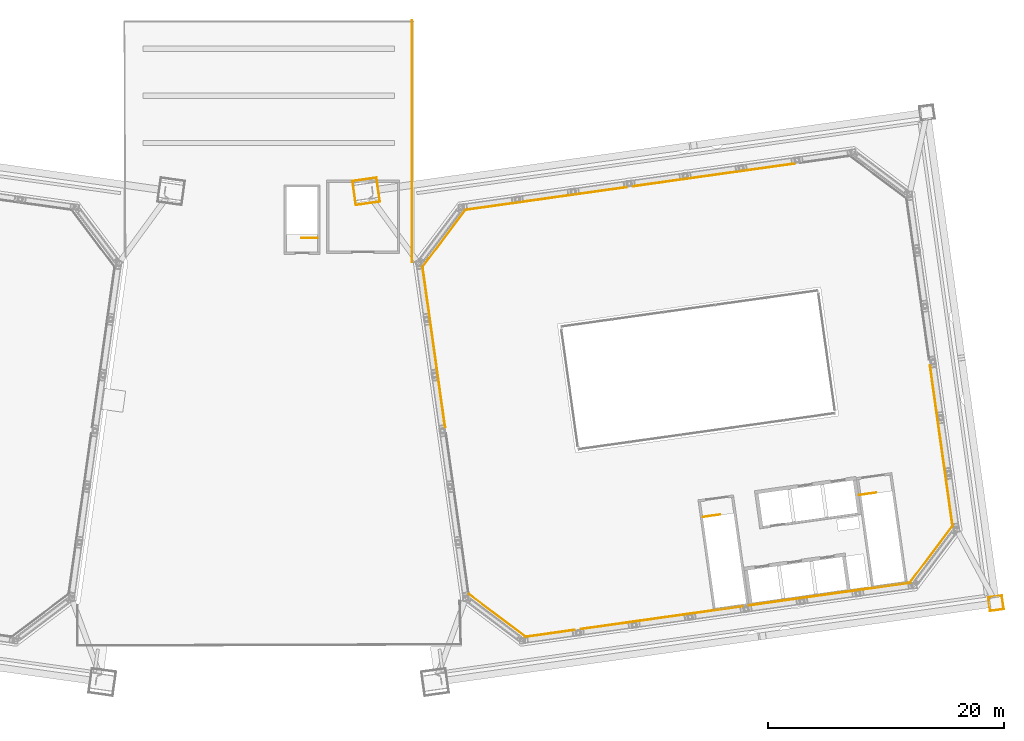
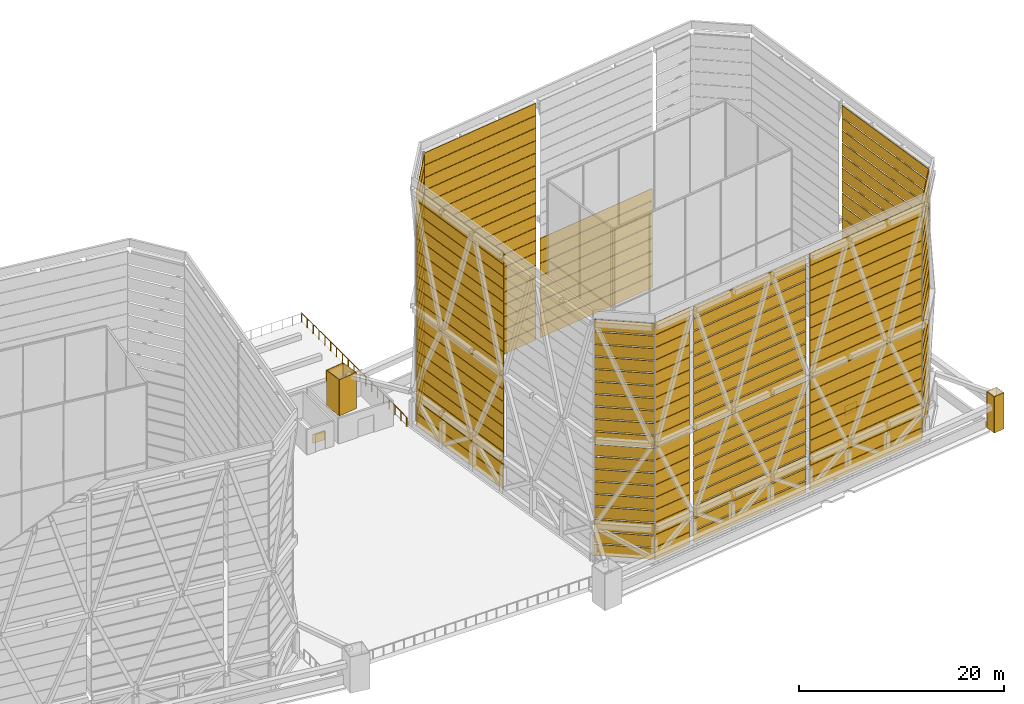
# One storey, part 44 of 45: 187 coverings, 4 railings.
"""IFC4 building model written with IfcOpenShell, lengths in metres."""

from ifc_helpers import new_model, si_unit, direction, frame, origin, origin_2d, place, context, subcontext, project, spatial, polyline, rectangle, outline, extrude, material, layer, layer_set, type_object, element, save


model = new_model("IFC4")

# Units and contexts
model_context = context("Model", 3, precision=1e-05, world=origin(), true_north=direction((0.0, 1.0)))
body_context = subcontext(model_context, "Body", "Model", "MODEL_VIEW")
ifc_project = project(units=[si_unit("LENGTHUNIT", "METRE"), si_unit("AREAUNIT", "SQUARE_METRE"), si_unit("VOLUMEUNIT", "CUBIC_METRE"), si_unit("PLANEANGLEUNIT", "RADIAN"), si_unit("MASSUNIT", "GRAM", prefix="KILO")], contexts=[model_context])

# Site, building, storey
site_placement = place(None, origin())
site = spatial("IfcSite", under=ifc_project, at=site_placement, CompositionType="ELEMENT")
building_placement = place(site_placement, origin())
building = spatial("IfcBuilding", under=site, at=building_placement, Name="Mirante Cascada Hotel Towers", CompositionType="ELEMENT")
storey_placement = place(building_placement, frame((0.0, 0.0, 269.8)))
storey = spatial("IfcBuildingStorey", under=building, at=storey_placement, Name="Roof garden", CompositionType="ELEMENT", Elevation=269.8)

# Coverings
ifc_material_1 = material(Name="Anodised aluminium cladding", Category="aluminium")
ifc_layer_1 = layer(ifc_material_1, 0.05)
ifc_layer_set_1 = layer_set([ifc_layer_1], Name="Column cladding plate 50")
covering_type_1 = type_object("IfcCoveringType", Name="Column cladding plate 50", PredefinedType="CLADDING", material=ifc_layer_set_1)
for number, where, z_axis, x_axis, name in (
    (1, (9.2773, 16.294, 0.0), (0.0, 0.0, 1.0), (0.9902681, 0.1391731, 0.0), "Mega column cladding T2 1.1"),
    (2, (7.2472, 16.0087, 0.0), (0.0, 0.0, 1.0), (0.9902681, 0.1391731, 0.0), "Mega column cladding T2 1.2"),
):
    element("IfcCovering", number, at=place(storey_placement, frame(where, z_axis=z_axis, x_axis=x_axis)), inside=storey, type_object=covering_type_1, Name=name, PredefinedType="CLADDING", context=body_context, shape_type="SweptSolid", body=[
        extrude(rectangle(XDim=0.05, YDim=2.0, at=origin_2d()), origin(), (0.0, 0.0, 1.0), 4.3),
    ])
for number, where, z_axis, x_axis, name in (
    (3, (8.1196, 17.1664, 0.0), (0.0, 0.0, 1.0), (0.9902681, 0.1391731, 0.0), "Mega column cladding T2 1.3"),
    (4, (8.4049, 15.1363, 0.0), (0.0, 0.0, 1.0), (0.9902681, 0.1391731, 0.0), "Mega column cladding T2 1.4"),
):
    element("IfcCovering", number, at=place(storey_placement, frame(where, z_axis=z_axis, x_axis=x_axis)), inside=storey, type_object=covering_type_1, Name=name, PredefinedType="CLADDING", context=body_context, shape_type="SweptSolid", body=[
        extrude(rectangle(XDim=2.1, YDim=0.05, at=origin_2d()), origin(), (0.0, 0.0, 1.0), 4.3),
    ])
for number, where, z_axis, x_axis, name in (
    (5, (62.2098, -18.6796, 0.0), (0.0, 0.0, 1.0), (0.9902681, 0.1391731, 0.0), "Mega column cladding T2 4.1"),
    (6, (61.071, -18.8396, 0.0), (0.0, 0.0, 1.0), (0.9902681, 0.1391731, 0.0), "Mega column cladding T2 4.2"),
):
    element("IfcCovering", number, at=place(storey_placement, frame(where, z_axis=z_axis, x_axis=x_axis)), inside=storey, type_object=covering_type_1, Name=name, PredefinedType="CLADDING", context=body_context, shape_type="SweptSolid", body=[
        extrude(rectangle(XDim=0.05, YDim=1.1, at=origin_2d()), origin(), (0.0, 0.0, 1.0), 4.3),
    ])
for number, where, z_axis, x_axis, name in (
    (7, (61.5604, -18.1902, 0.0), (0.0, 0.0, 1.0), (0.9902681, 0.1391731, 0.0), "Mega column cladding T2 4.3"),
    (8, (61.7204, -19.329, 0.0), (0.0, 0.0, 1.0), (0.9902681, 0.1391731, 0.0), "Mega column cladding T2 4.4"),
):
    element("IfcCovering", number, at=place(storey_placement, frame(where, z_axis=z_axis, x_axis=x_axis)), inside=storey, type_object=covering_type_1, Name=name, PredefinedType="CLADDING", context=body_context, shape_type="SweptSolid", body=[
        extrude(rectangle(XDim=1.2, YDim=0.05, at=origin_2d()), origin(), (0.0, 0.0, 1.0), 4.3),
    ])
ifc_material_2 = material(Name="Anodised aluminium louvre blade", Category="aluminium")
ifc_layer_2 = layer(ifc_material_2, 0.06)
ifc_layer_set_2 = layer_set([ifc_layer_2], Name="Crown LOUVRE blade 300x60")
covering_type_2 = type_object("IfcCoveringType", Name="Crown LOUVRE blade 300x60", PredefinedType="USERDEFINED", material=ifc_layer_set_2)
for number, where, z_axis, x_axis, name in (
    (9, (19.3543, -19.787, 0.07), (0.0, 0.0, 1.0), (-0.7986355, 0.601815, 0.0), "LOUVRE T2 run 1 row 1"),
    (10, (19.3543, -19.787, 1.5542), (0.0, 0.0, 1.0), (-0.7986355, 0.601815, 0.0), "LOUVRE T2 run 1 row 2"),
    (11, (19.3543, -19.787, 3.0384), (0.0, 0.0, 1.0), (-0.7986355, 0.601815, 0.0), "LOUVRE T2 run 1 row 3"),
    (12, (19.3543, -19.787, 4.5226), (0.0, 0.0, 1.0), (-0.7986355, 0.601815, 0.0), "LOUVRE T2 run 1 row 4"),
    (13, (19.3543, -19.787, 6.0068), (0.0, 0.0, 1.0), (-0.7986355, 0.601815, 0.0), "LOUVRE T2 run 1 row 5"),
    (14, (19.3543, -19.787, 7.491), (0.0, 0.0, 1.0), (-0.7986355, 0.601815, 0.0), "LOUVRE T2 run 1 row 6"),
    (15, (19.3543, -19.787, 8.9753), (0.0, 0.0, 1.0), (-0.7986355, 0.601815, 0.0), "LOUVRE T2 run 1 row 7"),
    (16, (19.3543, -19.787, 10.4595), (0.0, 0.0, 1.0), (-0.7986355, 0.601815, 0.0), "LOUVRE T2 run 1 row 8"),
    (17, (19.3543, -19.787, 11.9437), (0.0, 0.0, 1.0), (-0.7986355, 0.601815, 0.0), "LOUVRE T2 run 1 row 9"),
    (18, (19.3543, -19.787, 13.4279), (0.0, 0.0, 1.0), (-0.7986355, 0.601815, 0.0), "LOUVRE T2 run 1 row 10"),
    (19, (19.3543, -19.787, 14.9121), (0.0, 0.0, 1.0), (-0.7986355, 0.601815, 0.0), "LOUVRE T2 run 1 row 11"),
    (20, (19.3543, -19.787, 16.3963), (0.0, 0.0, 1.0), (-0.7986355, 0.601815, 0.0), "LOUVRE T2 run 1 row 12"),
    (21, (19.3543, -19.787, 17.8805), (0.0, 0.0, 1.0), (-0.7986355, 0.601815, 0.0), "LOUVRE T2 run 1 row 13"),
    (22, (19.3543, -19.787, 19.3647), (0.0, 0.0, 1.0), (-0.7986355, 0.601815, 0.0), "LOUVRE T2 run 1 row 14"),
    (23, (19.3543, -19.787, 20.8489), (0.0, 0.0, 1.0), (-0.7986355, 0.601815, 0.0), "LOUVRE T2 run 1 row 15"),
    (24, (19.3543, -19.787, 22.3332), (0.0, 0.0, 1.0), (-0.7986355, 0.601815, 0.0), "LOUVRE T2 run 1 row 16"),
    (25, (19.3543, -19.787, 23.8174), (0.0, 0.0, 1.0), (-0.7986355, 0.601815, 0.0), "LOUVRE T2 run 1 row 17"),
    (26, (19.3543, -19.787, 25.3016), (0.0, 0.0, 1.0), (-0.7986355, 0.601815, 0.0), "LOUVRE T2 run 1 row 18"),
    (27, (19.3543, -19.787, 26.7858), (0.0, 0.0, 1.0), (-0.7986355, 0.601815, 0.0), "LOUVRE T2 run 1 row 19"),
    (28, (14.864, 12.1636, 0.07), (0.0, 0.0, 1.0), (0.601815, 0.7986355, 0.0), "LOUVRE T2 run 4 row 1"),
    (29, (14.864, 12.1636, 1.5542), (0.0, 0.0, 1.0), (0.601815, 0.7986355, 0.0), "LOUVRE T2 run 4 row 2"),
    (30, (14.864, 12.1636, 3.0384), (0.0, 0.0, 1.0), (0.601815, 0.7986355, 0.0), "LOUVRE T2 run 4 row 3"),
    (31, (14.864, 12.1636, 4.5226), (0.0, 0.0, 1.0), (0.601815, 0.7986355, 0.0), "LOUVRE T2 run 4 row 4"),
    (32, (14.864, 12.1636, 6.0068), (0.0, 0.0, 1.0), (0.601815, 0.7986355, 0.0), "LOUVRE T2 run 4 row 5"),
    (33, (14.864, 12.1636, 7.491), (0.0, 0.0, 1.0), (0.601815, 0.7986355, 0.0), "LOUVRE T2 run 4 row 6"),
    (34, (14.864, 12.1636, 8.9753), (0.0, 0.0, 1.0), (0.601815, 0.7986355, 0.0), "LOUVRE T2 run 4 row 7"),
    (35, (14.864, 12.1636, 10.4595), (0.0, 0.0, 1.0), (0.601815, 0.7986355, 0.0), "LOUVRE T2 run 4 row 8"),
    (36, (14.864, 12.1636, 11.9437), (0.0, 0.0, 1.0), (0.601815, 0.7986355, 0.0), "LOUVRE T2 run 4 row 9"),
    (37, (14.864, 12.1636, 13.4279), (0.0, 0.0, 1.0), (0.601815, 0.7986355, 0.0), "LOUVRE T2 run 4 row 10"),
    (38, (14.864, 12.1636, 14.9121), (0.0, 0.0, 1.0), (0.601815, 0.7986355, 0.0), "LOUVRE T2 run 4 row 11"),
    (39, (14.864, 12.1636, 16.3963), (0.0, 0.0, 1.0), (0.601815, 0.7986355, 0.0), "LOUVRE T2 run 4 row 12"),
    (40, (14.864, 12.1636, 17.8805), (0.0, 0.0, 1.0), (0.601815, 0.7986355, 0.0), "LOUVRE T2 run 4 row 13"),
    (41, (14.864, 12.1636, 19.3647), (0.0, 0.0, 1.0), (0.601815, 0.7986355, 0.0), "LOUVRE T2 run 4 row 14"),
    (42, (14.864, 12.1636, 20.8489), (0.0, 0.0, 1.0), (0.601815, 0.7986355, 0.0), "LOUVRE T2 run 4 row 15"),
    (43, (14.864, 12.1636, 22.3332), (0.0, 0.0, 1.0), (0.601815, 0.7986355, 0.0), "LOUVRE T2 run 4 row 16"),
    (44, (14.864, 12.1636, 23.8174), (0.0, 0.0, 1.0), (0.601815, 0.7986355, 0.0), "LOUVRE T2 run 4 row 17"),
    (45, (14.864, 12.1636, 25.3016), (0.0, 0.0, 1.0), (0.601815, 0.7986355, 0.0), "LOUVRE T2 run 4 row 18"),
    (46, (14.864, 12.1636, 26.7858), (0.0, 0.0, 1.0), (0.601815, 0.7986355, 0.0), "LOUVRE T2 run 4 row 19"),
):
    element("IfcCovering", number, at=place(storey_placement, frame(where, z_axis=z_axis, x_axis=x_axis)), inside=storey, type_object=covering_type_2, Name=name, ObjectType="LOUVRE", PredefinedType="USERDEFINED", context=body_context, shape_type="SweptSolid", body=[
        extrude(rectangle(XDim=5.9912, YDim=0.06, at=origin_2d()), origin(), (0.0, 0.0, 1.0), 1.3358),
    ])
for number, where, z_axis, x_axis, name in (
    (47, (57.0104, -5.4311, 0.07), (0.0, 0.0, 1.0), (0.1391731, -0.9902681, 0.0), "LOUVRE T2 run 10 row 1"),
    (48, (57.0104, -5.4311, 1.5542), (0.0, 0.0, 1.0), (0.1391731, -0.9902681, 0.0), "LOUVRE T2 run 10 row 2"),
    (49, (57.0104, -5.4311, 3.0384), (0.0, 0.0, 1.0), (0.1391731, -0.9902681, 0.0), "LOUVRE T2 run 10 row 3"),
    (50, (57.0104, -5.4311, 4.5226), (0.0, 0.0, 1.0), (0.1391731, -0.9902681, 0.0), "LOUVRE T2 run 10 row 4"),
    (51, (57.0104, -5.4311, 6.0068), (0.0, 0.0, 1.0), (0.1391731, -0.9902681, 0.0), "LOUVRE T2 run 10 row 5"),
    (52, (57.0104, -5.4311, 7.491), (0.0, 0.0, 1.0), (0.1391731, -0.9902681, 0.0), "LOUVRE T2 run 10 row 6"),
    (53, (57.0104, -5.4311, 8.9753), (0.0, 0.0, 1.0), (0.1391731, -0.9902681, 0.0), "LOUVRE T2 run 10 row 7"),
    (54, (57.0104, -5.4311, 10.4595), (0.0, 0.0, 1.0), (0.1391731, -0.9902681, 0.0), "LOUVRE T2 run 10 row 8"),
    (55, (57.0104, -5.4311, 11.9437), (0.0, 0.0, 1.0), (0.1391731, -0.9902681, 0.0), "LOUVRE T2 run 10 row 9"),
    (56, (57.0104, -5.4311, 13.4279), (0.0, 0.0, 1.0), (0.1391731, -0.9902681, 0.0), "LOUVRE T2 run 10 row 10"),
    (57, (57.0104, -5.4311, 14.9121), (0.0, 0.0, 1.0), (0.1391731, -0.9902681, 0.0), "LOUVRE T2 run 10 row 11"),
    (58, (57.0104, -5.4311, 16.3963), (0.0, 0.0, 1.0), (0.1391731, -0.9902681, 0.0), "LOUVRE T2 run 10 row 12"),
    (59, (57.0104, -5.4311, 17.8805), (0.0, 0.0, 1.0), (0.1391731, -0.9902681, 0.0), "LOUVRE T2 run 10 row 13"),
    (60, (57.0104, -5.4311, 19.3647), (0.0, 0.0, 1.0), (0.1391731, -0.9902681, 0.0), "LOUVRE T2 run 10 row 14"),
    (61, (57.0104, -5.4311, 20.8489), (0.0, 0.0, 1.0), (0.1391731, -0.9902681, 0.0), "LOUVRE T2 run 10 row 15"),
    (62, (57.0104, -5.4311, 22.3332), (0.0, 0.0, 1.0), (0.1391731, -0.9902681, 0.0), "LOUVRE T2 run 10 row 16"),
    (63, (57.0104, -5.4311, 23.8174), (0.0, 0.0, 1.0), (0.1391731, -0.9902681, 0.0), "LOUVRE T2 run 10 row 17"),
    (64, (57.0104, -5.4311, 25.3016), (0.0, 0.0, 1.0), (0.1391731, -0.9902681, 0.0), "LOUVRE T2 run 10 row 18"),
    (65, (57.0104, -5.4311, 26.7858), (0.0, 0.0, 1.0), (0.1391731, -0.9902681, 0.0), "LOUVRE T2 run 10 row 19"),
):
    element("IfcCovering", number, at=place(storey_placement, frame(where, z_axis=z_axis, x_axis=x_axis)), inside=storey, type_object=covering_type_2, Name=name, ObjectType="LOUVRE", PredefinedType="USERDEFINED", context=body_context, shape_type="SweptSolid", body=[
        extrude(rectangle(XDim=13.8136, YDim=0.06, at=origin_2d()), origin(), (0.0, 0.0, 1.0), 1.3358),
    ])
for number, where, z_axis, x_axis, name in (
    (66, (33.3051, -19.985, 0.07), (0.0, 0.0, 1.0), (-0.9902681, -0.1391731, 0.0), "LOUVRE T2 run 13 row 1"),
    (67, (33.3051, -19.985, 1.5542), (0.0, 0.0, 1.0), (-0.9902681, -0.1391731, 0.0), "LOUVRE T2 run 13 row 2"),
    (68, (33.3051, -19.985, 3.0384), (0.0, 0.0, 1.0), (-0.9902681, -0.1391731, 0.0), "LOUVRE T2 run 13 row 3"),
    (69, (33.3051, -19.985, 4.5226), (0.0, 0.0, 1.0), (-0.9902681, -0.1391731, 0.0), "LOUVRE T2 run 13 row 4"),
    (70, (33.3051, -19.985, 6.0068), (0.0, 0.0, 1.0), (-0.9902681, -0.1391731, 0.0), "LOUVRE T2 run 13 row 5"),
    (71, (33.3051, -19.985, 7.491), (0.0, 0.0, 1.0), (-0.9902681, -0.1391731, 0.0), "LOUVRE T2 run 13 row 6"),
    (72, (33.3051, -19.985, 8.9753), (0.0, 0.0, 1.0), (-0.9902681, -0.1391731, 0.0), "LOUVRE T2 run 13 row 7"),
    (73, (33.3051, -19.985, 10.4595), (0.0, 0.0, 1.0), (-0.9902681, -0.1391731, 0.0), "LOUVRE T2 run 13 row 8"),
    (74, (33.3051, -19.985, 11.9437), (0.0, 0.0, 1.0), (-0.9902681, -0.1391731, 0.0), "LOUVRE T2 run 13 row 9"),
    (75, (33.3051, -19.985, 13.4279), (0.0, 0.0, 1.0), (-0.9902681, -0.1391731, 0.0), "LOUVRE T2 run 13 row 10"),
    (76, (33.3051, -19.985, 14.9121), (0.0, 0.0, 1.0), (-0.9902681, -0.1391731, 0.0), "LOUVRE T2 run 13 row 11"),
    (77, (33.3051, -19.985, 16.3963), (0.0, 0.0, 1.0), (-0.9902681, -0.1391731, 0.0), "LOUVRE T2 run 13 row 12"),
    (78, (33.3051, -19.985, 17.8805), (0.0, 0.0, 1.0), (-0.9902681, -0.1391731, 0.0), "LOUVRE T2 run 13 row 13"),
    (79, (33.3051, -19.985, 19.3647), (0.0, 0.0, 1.0), (-0.9902681, -0.1391731, 0.0), "LOUVRE T2 run 13 row 14"),
    (80, (33.3051, -19.985, 20.8489), (0.0, 0.0, 1.0), (-0.9902681, -0.1391731, 0.0), "LOUVRE T2 run 13 row 15"),
    (81, (33.3051, -19.985, 22.3332), (0.0, 0.0, 1.0), (-0.9902681, -0.1391731, 0.0), "LOUVRE T2 run 13 row 16"),
    (82, (33.3051, -19.985, 23.8174), (0.0, 0.0, 1.0), (-0.9902681, -0.1391731, 0.0), "LOUVRE T2 run 13 row 17"),
    (83, (33.3051, -19.985, 25.3016), (0.0, 0.0, 1.0), (-0.9902681, -0.1391731, 0.0), "LOUVRE T2 run 13 row 18"),
    (84, (33.3051, -19.985, 26.7858), (0.0, 0.0, 1.0), (-0.9902681, -0.1391731, 0.0), "LOUVRE T2 run 13 row 19"),
):
    element("IfcCovering", number, at=place(storey_placement, frame(where, z_axis=z_axis, x_axis=x_axis)), inside=storey, type_object=covering_type_2, Name=name, ObjectType="LOUVRE", PredefinedType="USERDEFINED", context=body_context, shape_type="SweptSolid", body=[
        extrude(rectangle(XDim=13.8625, YDim=0.06, at=origin_2d()), origin(), (0.0, 0.0, 1.0), 1.3358),
    ])
ifc_material_3 = material(Name="Perforated stainless steel screen", Category="steel")
ifc_layer_3 = layer(ifc_material_3, 0.06)
ifc_layer_set_3 = layer_set([ifc_layer_3], Name="Perforated metal SCREEN panel 4500x60")
covering_type_3 = type_object("IfcCoveringType", Name="Perforated metal SCREEN panel 4500x60", PredefinedType="USERDEFINED", material=ifc_layer_set_3)
for number, where, z_axis, x_axis, name in (
    (85, (13.9962, 2.978, 0.1), (0.0, 0.0, 1.0), (-0.1391731, 0.9902681, 0.0), "SCREEN T2 run 3 row 1"),
    (86, (13.9962, 2.978, 1.5842), (0.0, 0.0, 1.0), (-0.1391731, 0.9902681, 0.0), "SCREEN T2 run 3 row 2"),
    (87, (13.9962, 2.978, 3.0684), (0.0, 0.0, 1.0), (-0.1391731, 0.9902681, 0.0), "SCREEN T2 run 3 row 3"),
    (88, (13.9962, 2.978, 4.5526), (0.0, 0.0, 1.0), (-0.1391731, 0.9902681, 0.0), "SCREEN T2 run 3 row 4"),
    (89, (13.9962, 2.978, 6.0368), (0.0, 0.0, 1.0), (-0.1391731, 0.9902681, 0.0), "SCREEN T2 run 3 row 5"),
    (90, (13.9962, 2.978, 7.5211), (0.0, 0.0, 1.0), (-0.1391731, 0.9902681, 0.0), "SCREEN T2 run 3 row 6"),
    (91, (13.9962, 2.978, 9.0053), (0.0, 0.0, 1.0), (-0.1391731, 0.9902681, 0.0), "SCREEN T2 run 3 row 7"),
    (92, (13.9962, 2.978, 10.4895), (0.0, 0.0, 1.0), (-0.1391731, 0.9902681, 0.0), "SCREEN T2 run 3 row 8"),
    (93, (13.9962, 2.978, 11.9737), (0.0, 0.0, 1.0), (-0.1391731, 0.9902681, 0.0), "SCREEN T2 run 3 row 9"),
    (94, (13.9962, 2.978, 13.4579), (0.0, 0.0, 1.0), (-0.1391731, 0.9902681, 0.0), "SCREEN T2 run 3 row 10"),
    (95, (13.9962, 2.978, 14.9421), (0.0, 0.0, 1.0), (-0.1391731, 0.9902681, 0.0), "SCREEN T2 run 3 row 11"),
    (96, (13.9962, 2.978, 16.4263), (0.0, 0.0, 1.0), (-0.1391731, 0.9902681, 0.0), "SCREEN T2 run 3 row 12"),
    (97, (13.9962, 2.978, 17.9105), (0.0, 0.0, 1.0), (-0.1391731, 0.9902681, 0.0), "SCREEN T2 run 3 row 13"),
    (98, (13.9962, 2.978, 19.3947), (0.0, 0.0, 1.0), (-0.1391731, 0.9902681, 0.0), "SCREEN T2 run 3 row 14"),
    (99, (13.9962, 2.978, 20.879), (0.0, 0.0, 1.0), (-0.1391731, 0.9902681, 0.0), "SCREEN T2 run 3 row 15"),
    (100, (13.9962, 2.978, 22.3632), (0.0, 0.0, 1.0), (-0.1391731, 0.9902681, 0.0), "SCREEN T2 run 3 row 16"),
    (101, (13.9962, 2.978, 23.8474), (0.0, 0.0, 1.0), (-0.1391731, 0.9902681, 0.0), "SCREEN T2 run 3 row 17"),
    (102, (13.9962, 2.978, 25.3316), (0.0, 0.0, 1.0), (-0.1391731, 0.9902681, 0.0), "SCREEN T2 run 3 row 18"),
    (103, (13.9962, 2.978, 26.8158), (0.0, 0.0, 1.0), (-0.1391731, 0.9902681, 0.0), "SCREEN T2 run 3 row 19"),
):
    element("IfcCovering", number, at=place(storey_placement, frame(where, z_axis=z_axis, x_axis=x_axis)), inside=storey, type_object=covering_type_3, Name=name, ObjectType="SCREEN", PredefinedType="USERDEFINED", context=body_context, shape_type="SweptSolid", body=[
        extrude(rectangle(XDim=13.8136, YDim=0.06, at=origin_2d()), origin(), (0.0, 0.0, 1.0), 1.4242),
    ])
for number, where, z_axis, x_axis, name in (
    (104, (23.4788, 15.5331, 0.1), (0.0, 0.0, 1.0), (0.9902681, 0.1391731, 0.0), "SCREEN T2 run 5 row 1"),
    (105, (23.4788, 15.5331, 1.5842), (0.0, 0.0, 1.0), (0.9902681, 0.1391731, 0.0), "SCREEN T2 run 5 row 2"),
    (106, (23.4788, 15.5331, 3.0684), (0.0, 0.0, 1.0), (0.9902681, 0.1391731, 0.0), "SCREEN T2 run 5 row 3"),
    (107, (23.4788, 15.5331, 4.5526), (0.0, 0.0, 1.0), (0.9902681, 0.1391731, 0.0), "SCREEN T2 run 5 row 4"),
    (108, (23.4788, 15.5331, 6.0368), (0.0, 0.0, 1.0), (0.9902681, 0.1391731, 0.0), "SCREEN T2 run 5 row 5"),
    (109, (23.4788, 15.5331, 7.5211), (0.0, 0.0, 1.0), (0.9902681, 0.1391731, 0.0), "SCREEN T2 run 5 row 6"),
    (110, (23.4788, 15.5331, 9.0053), (0.0, 0.0, 1.0), (0.9902681, 0.1391731, 0.0), "SCREEN T2 run 5 row 7"),
    (111, (23.4788, 15.5331, 10.4895), (0.0, 0.0, 1.0), (0.9902681, 0.1391731, 0.0), "SCREEN T2 run 5 row 8"),
    (112, (23.4788, 15.5331, 11.9737), (0.0, 0.0, 1.0), (0.9902681, 0.1391731, 0.0), "SCREEN T2 run 5 row 9"),
    (113, (23.4788, 15.5331, 13.4579), (0.0, 0.0, 1.0), (0.9902681, 0.1391731, 0.0), "SCREEN T2 run 5 row 10"),
    (114, (23.4788, 15.5331, 14.9421), (0.0, 0.0, 1.0), (0.9902681, 0.1391731, 0.0), "SCREEN T2 run 5 row 11"),
    (115, (23.4788, 15.5331, 16.4263), (0.0, 0.0, 1.0), (0.9902681, 0.1391731, 0.0), "SCREEN T2 run 5 row 12"),
    (116, (23.4788, 15.5331, 17.9105), (0.0, 0.0, 1.0), (0.9902681, 0.1391731, 0.0), "SCREEN T2 run 5 row 13"),
    (117, (23.4788, 15.5331, 19.3947), (0.0, 0.0, 1.0), (0.9902681, 0.1391731, 0.0), "SCREEN T2 run 5 row 14"),
    (118, (23.4788, 15.5331, 20.879), (0.0, 0.0, 1.0), (0.9902681, 0.1391731, 0.0), "SCREEN T2 run 5 row 15"),
    (119, (23.4788, 15.5331, 22.3632), (0.0, 0.0, 1.0), (0.9902681, 0.1391731, 0.0), "SCREEN T2 run 5 row 16"),
    (120, (23.4788, 15.5331, 23.8474), (0.0, 0.0, 1.0), (0.9902681, 0.1391731, 0.0), "SCREEN T2 run 5 row 17"),
    (121, (23.4788, 15.5331, 25.3316), (0.0, 0.0, 1.0), (0.9902681, 0.1391731, 0.0), "SCREEN T2 run 5 row 18"),
    (122, (23.4788, 15.5331, 26.8158), (0.0, 0.0, 1.0), (0.9902681, 0.1391731, 0.0), "SCREEN T2 run 5 row 19"),
    (123, (37.7015, 17.5319, 0.1), (0.0, 0.0, 1.0), (0.9902681, 0.1391731, 0.0), "SCREEN T2 run 6 row 1"),
    (124, (37.7015, 17.5319, 1.5842), (0.0, 0.0, 1.0), (0.9902681, 0.1391731, 0.0), "SCREEN T2 run 6 row 2"),
    (125, (37.7015, 17.5319, 3.0684), (0.0, 0.0, 1.0), (0.9902681, 0.1391731, 0.0), "SCREEN T2 run 6 row 3"),
    (126, (37.7015, 17.5319, 4.5526), (0.0, 0.0, 1.0), (0.9902681, 0.1391731, 0.0), "SCREEN T2 run 6 row 4"),
    (127, (37.7015, 17.5319, 6.0368), (0.0, 0.0, 1.0), (0.9902681, 0.1391731, 0.0), "SCREEN T2 run 6 row 5"),
    (128, (37.7015, 17.5319, 7.5211), (0.0, 0.0, 1.0), (0.9902681, 0.1391731, 0.0), "SCREEN T2 run 6 row 6"),
    (129, (37.7015, 17.5319, 9.0053), (0.0, 0.0, 1.0), (0.9902681, 0.1391731, 0.0), "SCREEN T2 run 6 row 7"),
    (130, (37.7015, 17.5319, 10.4895), (0.0, 0.0, 1.0), (0.9902681, 0.1391731, 0.0), "SCREEN T2 run 6 row 8"),
):
    element("IfcCovering", number, at=place(storey_placement, frame(where, z_axis=z_axis, x_axis=x_axis)), inside=storey, type_object=covering_type_3, Name=name, ObjectType="SCREEN", PredefinedType="USERDEFINED", context=body_context, shape_type="SweptSolid", body=[
        extrude(rectangle(XDim=13.8625, YDim=0.06, at=origin_2d()), origin(), (0.0, 0.0, 1.0), 1.4242),
    ])
for number, where, z_axis, x_axis, name in (
    (131, (56.1426, -14.6167, 0.1), (0.0, 0.0, 1.0), (-0.601815, -0.7986355, 0.0), "SCREEN T2 run 11 row 1"),
    (132, (56.1426, -14.6167, 1.5842), (0.0, 0.0, 1.0), (-0.601815, -0.7986355, 0.0), "SCREEN T2 run 11 row 2"),
    (133, (56.1426, -14.6167, 3.0684), (0.0, 0.0, 1.0), (-0.601815, -0.7986355, 0.0), "SCREEN T2 run 11 row 3"),
    (134, (56.1426, -14.6167, 4.5526), (0.0, 0.0, 1.0), (-0.601815, -0.7986355, 0.0), "SCREEN T2 run 11 row 4"),
    (135, (56.1426, -14.6167, 6.0368), (0.0, 0.0, 1.0), (-0.601815, -0.7986355, 0.0), "SCREEN T2 run 11 row 5"),
    (136, (56.1426, -14.6167, 7.5211), (0.0, 0.0, 1.0), (-0.601815, -0.7986355, 0.0), "SCREEN T2 run 11 row 6"),
    (137, (56.1426, -14.6167, 9.0053), (0.0, 0.0, 1.0), (-0.601815, -0.7986355, 0.0), "SCREEN T2 run 11 row 7"),
    (138, (56.1426, -14.6167, 10.4895), (0.0, 0.0, 1.0), (-0.601815, -0.7986355, 0.0), "SCREEN T2 run 11 row 8"),
    (139, (56.1426, -14.6167, 11.9737), (0.0, 0.0, 1.0), (-0.601815, -0.7986355, 0.0), "SCREEN T2 run 11 row 9"),
    (140, (56.1426, -14.6167, 13.4579), (0.0, 0.0, 1.0), (-0.601815, -0.7986355, 0.0), "SCREEN T2 run 11 row 10"),
    (141, (56.1426, -14.6167, 14.9421), (0.0, 0.0, 1.0), (-0.601815, -0.7986355, 0.0), "SCREEN T2 run 11 row 11"),
    (142, (56.1426, -14.6167, 16.4263), (0.0, 0.0, 1.0), (-0.601815, -0.7986355, 0.0), "SCREEN T2 run 11 row 12"),
    (143, (56.1426, -14.6167, 17.9105), (0.0, 0.0, 1.0), (-0.601815, -0.7986355, 0.0), "SCREEN T2 run 11 row 13"),
    (144, (56.1426, -14.6167, 19.3947), (0.0, 0.0, 1.0), (-0.601815, -0.7986355, 0.0), "SCREEN T2 run 11 row 14"),
    (145, (56.1426, -14.6167, 20.879), (0.0, 0.0, 1.0), (-0.601815, -0.7986355, 0.0), "SCREEN T2 run 11 row 15"),
    (146, (56.1426, -14.6167, 22.3632), (0.0, 0.0, 1.0), (-0.601815, -0.7986355, 0.0), "SCREEN T2 run 11 row 16"),
    (147, (56.1426, -14.6167, 23.8474), (0.0, 0.0, 1.0), (-0.601815, -0.7986355, 0.0), "SCREEN T2 run 11 row 17"),
    (148, (56.1426, -14.6167, 25.3316), (0.0, 0.0, 1.0), (-0.601815, -0.7986355, 0.0), "SCREEN T2 run 11 row 18"),
    (149, (56.1426, -14.6167, 26.8158), (0.0, 0.0, 1.0), (-0.601815, -0.7986355, 0.0), "SCREEN T2 run 11 row 19"),
):
    element("IfcCovering", number, at=place(storey_placement, frame(where, z_axis=z_axis, x_axis=x_axis)), inside=storey, type_object=covering_type_3, Name=name, ObjectType="SCREEN", PredefinedType="USERDEFINED", context=body_context, shape_type="SweptSolid", body=[
        extrude(rectangle(XDim=5.9912, YDim=0.06, at=origin_2d()), origin(), (0.0, 0.0, 1.0), 1.4242),
    ])
for number, where, z_axis, x_axis, name in (
    (150, (47.5278, -17.9862, 0.1), (0.0, 0.0, 1.0), (-0.9902681, -0.1391731, 0.0), "SCREEN T2 run 12 row 1"),
    (151, (47.5278, -17.9862, 1.5842), (0.0, 0.0, 1.0), (-0.9902681, -0.1391731, 0.0), "SCREEN T2 run 12 row 2"),
    (152, (47.5278, -17.9862, 3.0684), (0.0, 0.0, 1.0), (-0.9902681, -0.1391731, 0.0), "SCREEN T2 run 12 row 3"),
    (153, (47.5278, -17.9862, 4.5526), (0.0, 0.0, 1.0), (-0.9902681, -0.1391731, 0.0), "SCREEN T2 run 12 row 4"),
    (154, (47.5278, -17.9862, 6.0368), (0.0, 0.0, 1.0), (-0.9902681, -0.1391731, 0.0), "SCREEN T2 run 12 row 5"),
    (155, (47.5278, -17.9862, 7.5211), (0.0, 0.0, 1.0), (-0.9902681, -0.1391731, 0.0), "SCREEN T2 run 12 row 6"),
    (156, (47.5278, -17.9862, 9.0053), (0.0, 0.0, 1.0), (-0.9902681, -0.1391731, 0.0), "SCREEN T2 run 12 row 7"),
    (157, (47.5278, -17.9862, 10.4895), (0.0, 0.0, 1.0), (-0.9902681, -0.1391731, 0.0), "SCREEN T2 run 12 row 8"),
    (158, (47.5278, -17.9862, 11.9737), (0.0, 0.0, 1.0), (-0.9902681, -0.1391731, 0.0), "SCREEN T2 run 12 row 9"),
    (159, (47.5278, -17.9862, 13.4579), (0.0, 0.0, 1.0), (-0.9902681, -0.1391731, 0.0), "SCREEN T2 run 12 row 10"),
    (160, (47.5278, -17.9862, 14.9421), (0.0, 0.0, 1.0), (-0.9902681, -0.1391731, 0.0), "SCREEN T2 run 12 row 11"),
    (161, (47.5278, -17.9862, 16.4263), (0.0, 0.0, 1.0), (-0.9902681, -0.1391731, 0.0), "SCREEN T2 run 12 row 12"),
    (162, (47.5278, -17.9862, 17.9105), (0.0, 0.0, 1.0), (-0.9902681, -0.1391731, 0.0), "SCREEN T2 run 12 row 13"),
    (163, (47.5278, -17.9862, 19.3947), (0.0, 0.0, 1.0), (-0.9902681, -0.1391731, 0.0), "SCREEN T2 run 12 row 14"),
    (164, (47.5278, -17.9862, 20.879), (0.0, 0.0, 1.0), (-0.9902681, -0.1391731, 0.0), "SCREEN T2 run 12 row 15"),
    (165, (47.5278, -17.9862, 22.3632), (0.0, 0.0, 1.0), (-0.9902681, -0.1391731, 0.0), "SCREEN T2 run 12 row 16"),
    (166, (47.5278, -17.9862, 23.8474), (0.0, 0.0, 1.0), (-0.9902681, -0.1391731, 0.0), "SCREEN T2 run 12 row 17"),
    (167, (47.5278, -17.9862, 25.3316), (0.0, 0.0, 1.0), (-0.9902681, -0.1391731, 0.0), "SCREEN T2 run 12 row 18"),
    (168, (47.5278, -17.9862, 26.8158), (0.0, 0.0, 1.0), (-0.9902681, -0.1391731, 0.0), "SCREEN T2 run 12 row 19"),
):
    element("IfcCovering", number, at=place(storey_placement, frame(where, z_axis=z_axis, x_axis=x_axis)), inside=storey, type_object=covering_type_3, Name=name, ObjectType="SCREEN", PredefinedType="USERDEFINED", context=body_context, shape_type="SweptSolid", body=[
        extrude(rectangle(XDim=13.8625, YDim=0.06, at=origin_2d()), origin(), (0.0, 0.0, 1.0), 1.4242),
    ])
for number, where, z_axis, x_axis, name in (
    (169, (23.8233, -21.3176, 0.1), (0.0, 0.0, 1.0), (-0.9902681, -0.1391731, 0.0), "SCREEN T2 run 14 row 1"),
    (170, (23.8233, -21.3176, 1.5842), (0.0, 0.0, 1.0), (-0.9902681, -0.1391731, 0.0), "SCREEN T2 run 14 row 2"),
    (171, (23.8233, -21.3176, 3.0684), (0.0, 0.0, 1.0), (-0.9902681, -0.1391731, 0.0), "SCREEN T2 run 14 row 3"),
    (172, (23.8233, -21.3176, 4.5526), (0.0, 0.0, 1.0), (-0.9902681, -0.1391731, 0.0), "SCREEN T2 run 14 row 4"),
    (173, (23.8233, -21.3176, 6.0368), (0.0, 0.0, 1.0), (-0.9902681, -0.1391731, 0.0), "SCREEN T2 run 14 row 5"),
    (174, (23.8233, -21.3176, 7.5211), (0.0, 0.0, 1.0), (-0.9902681, -0.1391731, 0.0), "SCREEN T2 run 14 row 6"),
    (175, (23.8233, -21.3176, 9.0053), (0.0, 0.0, 1.0), (-0.9902681, -0.1391731, 0.0), "SCREEN T2 run 14 row 7"),
    (176, (23.8233, -21.3176, 10.4895), (0.0, 0.0, 1.0), (-0.9902681, -0.1391731, 0.0), "SCREEN T2 run 14 row 8"),
    (177, (23.8233, -21.3176, 11.9737), (0.0, 0.0, 1.0), (-0.9902681, -0.1391731, 0.0), "SCREEN T2 run 14 row 9"),
    (178, (23.8233, -21.3176, 13.4579), (0.0, 0.0, 1.0), (-0.9902681, -0.1391731, 0.0), "SCREEN T2 run 14 row 10"),
    (179, (23.8233, -21.3176, 14.9421), (0.0, 0.0, 1.0), (-0.9902681, -0.1391731, 0.0), "SCREEN T2 run 14 row 11"),
    (180, (23.8233, -21.3176, 16.4263), (0.0, 0.0, 1.0), (-0.9902681, -0.1391731, 0.0), "SCREEN T2 run 14 row 12"),
    (181, (23.8233, -21.3176, 17.9105), (0.0, 0.0, 1.0), (-0.9902681, -0.1391731, 0.0), "SCREEN T2 run 14 row 13"),
    (182, (23.8233, -21.3176, 19.3947), (0.0, 0.0, 1.0), (-0.9902681, -0.1391731, 0.0), "SCREEN T2 run 14 row 14"),
    (183, (23.8233, -21.3176, 20.879), (0.0, 0.0, 1.0), (-0.9902681, -0.1391731, 0.0), "SCREEN T2 run 14 row 15"),
    (184, (23.8233, -21.3176, 22.3632), (0.0, 0.0, 1.0), (-0.9902681, -0.1391731, 0.0), "SCREEN T2 run 14 row 16"),
    (185, (23.8233, -21.3176, 23.8474), (0.0, 0.0, 1.0), (-0.9902681, -0.1391731, 0.0), "SCREEN T2 run 14 row 17"),
    (186, (23.8233, -21.3176, 25.3316), (0.0, 0.0, 1.0), (-0.9902681, -0.1391731, 0.0), "SCREEN T2 run 14 row 18"),
    (187, (23.8233, -21.3176, 26.8158), (0.0, 0.0, 1.0), (-0.9902681, -0.1391731, 0.0), "SCREEN T2 run 14 row 19"),
):
    element("IfcCovering", number, at=place(storey_placement, frame(where, z_axis=z_axis, x_axis=x_axis)), inside=storey, type_object=covering_type_3, Name=name, ObjectType="SCREEN", PredefinedType="USERDEFINED", context=body_context, shape_type="SweptSolid", body=[
        extrude(rectangle(XDim=4.2875, YDim=0.06, at=origin_2d()), origin(), (0.0, 0.0, 1.0), 1.4242),
    ])

# Railings
ifc_material_4 = material(Name="Painted steel", Category="steel")
railing_type_1 = type_object("IfcRailingType", Name="Stair guard 1100 steel balustrade", PredefinedType="GUARDRAIL", material=ifc_material_4)
railing_1_placement = place(storey_placement, frame((36.7809, -11.4482, 0.0)))
element("IfcRailing", 188, at=railing_1_placement, inside=storey, type_object=railing_type_1, Name="Roof garden ST2-A top well guard 1", PredefinedType="GUARDRAIL", context=body_context, shape_type="SweptSolid", body=[
    extrude(rectangle(XDim=0.048, YDim=0.048, at=origin_2d()), frame((0.0, 0.0, 1.076), z_axis=(0.9902735, 0.1391343, 0.0), x_axis=(-0.1391343, 0.9902735, 0.0)), (0.0, 0.0, 1.0), 1.5),
    extrude(rectangle(XDim=0.02, YDim=1.052, at=origin_2d()), frame((0.0, 0.0, 0.526), z_axis=(0.9902735, 0.1391343, 0.0), x_axis=(-0.1391343, 0.9902735, 0.0)), (0.0, 0.0, 1.0), 1.5),
])
railing_2_placement = place(storey_placement, frame((50.001, -9.5903, 0.0)))
element("IfcRailing", 189, at=railing_2_placement, inside=storey, type_object=railing_type_1, Name="Roof garden ST2-B top well guard 1", PredefinedType="GUARDRAIL", context=body_context, shape_type="SweptSolid", body=[
    extrude(rectangle(XDim=0.048, YDim=0.048, at=origin_2d()), frame((0.0, 0.0, 1.076), z_axis=(0.9902643, 0.1391997, 0.0), x_axis=(-0.1391997, 0.9902643, 0.0)), (0.0, 0.0, 1.0), 1.5),
    extrude(rectangle(XDim=0.02, YDim=1.052, at=origin_2d()), frame((0.0, 0.0, 0.526), z_axis=(0.9902643, 0.1391997, 0.0), x_axis=(-0.1391997, 0.9902643, 0.0)), (0.0, 0.0, 1.0), 1.5),
])
railing_3_placement = place(storey_placement, frame((4.15, 12.21, 0.0)))
element("IfcRailing", 190, at=railing_3_placement, inside=storey, type_object=railing_type_1, Name="Roof garden ST-RG top well guard 1", PredefinedType="GUARDRAIL", context=body_context, shape_type="SweptSolid", body=[
    extrude(rectangle(XDim=0.048, YDim=0.048, at=origin_2d()), frame((0.0, 0.0, 1.076), z_axis=(-1.0, 0.0, 0.0), x_axis=(0.0, -1.0, 0.0)), (0.0, 0.0, 1.0), 1.4),
    extrude(rectangle(XDim=0.02, YDim=1.052, at=origin_2d()), frame((0.0, 0.0, 0.526), z_axis=(-1.0, 0.0, 0.0), x_axis=(0.0, -1.0, 0.0)), (0.0, 0.0, 1.0), 1.4),
])
ifc_material_5 = material(Name="Stainless steel AISI 316", Category="steel")
railing_type_2 = type_object("IfcRailingType", Name="Terrace guard 1100", PredefinedType="GUARDRAIL", material=ifc_material_5)
railing_4_placement = place(storey_placement, frame((12.1514, 10.1481, 0.0)))
element("IfcRailing", 191, at=railing_4_placement, inside=storey, type_object=railing_type_2, Name="GUARD sky park roof garden 3", PredefinedType="GUARDRAIL", context=body_context, shape_type="SweptSolid", body=[
    extrude(outline(polyline([(0.025, 0.0104), (0.0104, 0.025), (-0.0104, 0.025), (-0.025, 0.0104), (-0.025, -0.0104), (-0.0104, -0.025), (0.0104, -0.025), (0.025, -0.0104), (0.025, 0.0104)])), frame((0.0, 0.0, 1.075), z_axis=(0.0, 1.0, 0.0), x_axis=(-1.0, 0.0, 0.0)), (0.0, 0.0, 1.0), 20.5),
    extrude(rectangle(XDim=0.05, YDim=0.05, at=origin_2d()), origin(), (0.0, 0.0, 1.0), 1.05),
    extrude(rectangle(XDim=0.05, YDim=0.05, at=origin_2d()), frame((0.0, 1.1389, 0.0)), (0.0, 0.0, 1.0), 1.05),
    extrude(rectangle(XDim=0.05, YDim=0.05, at=origin_2d()), frame((0.0, 2.2778, 0.0)), (0.0, 0.0, 1.0), 1.05),
    extrude(rectangle(XDim=0.05, YDim=0.05, at=origin_2d()), frame((0.0, 3.4167, 0.0)), (0.0, 0.0, 1.0), 1.05),
    extrude(rectangle(XDim=0.05, YDim=0.05, at=origin_2d()), frame((0.0, 4.5556, 0.0)), (0.0, 0.0, 1.0), 1.05),
    extrude(rectangle(XDim=0.05, YDim=0.05, at=origin_2d()), frame((0.0, 5.6944, 0.0)), (0.0, 0.0, 1.0), 1.05),
    extrude(rectangle(XDim=0.05, YDim=0.05, at=origin_2d()), frame((0.0, 6.8333, 0.0)), (0.0, 0.0, 1.0), 1.05),
    extrude(rectangle(XDim=0.05, YDim=0.05, at=origin_2d()), frame((0.0, 7.9722, 0.0)), (0.0, 0.0, 1.0), 1.05),
    extrude(rectangle(XDim=0.05, YDim=0.05, at=origin_2d()), frame((0.0, 9.1111, 0.0)), (0.0, 0.0, 1.0), 1.05),
    extrude(rectangle(XDim=0.05, YDim=0.05, at=origin_2d()), frame((0.0, 10.25, 0.0)), (0.0, 0.0, 1.0), 1.05),
    extrude(rectangle(XDim=0.05, YDim=0.05, at=origin_2d()), frame((0.0, 11.3889, 0.0)), (0.0, 0.0, 1.0), 1.05),
    extrude(rectangle(XDim=0.05, YDim=0.05, at=origin_2d()), frame((0.0, 12.5278, 0.0)), (0.0, 0.0, 1.0), 1.05),
    extrude(rectangle(XDim=0.05, YDim=0.05, at=origin_2d()), frame((0.0, 13.6667, 0.0)), (0.0, 0.0, 1.0), 1.05),
    extrude(rectangle(XDim=0.05, YDim=0.05, at=origin_2d()), frame((0.0, 14.8056, 0.0)), (0.0, 0.0, 1.0), 1.05),
    extrude(rectangle(XDim=0.05, YDim=0.05, at=origin_2d()), frame((0.0, 15.9444, 0.0)), (0.0, 0.0, 1.0), 1.05),
    extrude(rectangle(XDim=0.05, YDim=0.05, at=origin_2d()), frame((0.0, 17.0833, 0.0)), (0.0, 0.0, 1.0), 1.05),
    extrude(rectangle(XDim=0.05, YDim=0.05, at=origin_2d()), frame((0.0, 18.2222, 0.0)), (0.0, 0.0, 1.0), 1.05),
    extrude(rectangle(XDim=0.05, YDim=0.05, at=origin_2d()), frame((0.0, 19.3611, 0.0)), (0.0, 0.0, 1.0), 1.05),
    extrude(rectangle(XDim=0.05, YDim=0.05, at=origin_2d()), frame((0.0, 20.5, 0.0)), (0.0, 0.0, 1.0), 1.05),
])

save(model, "model.ifc")
